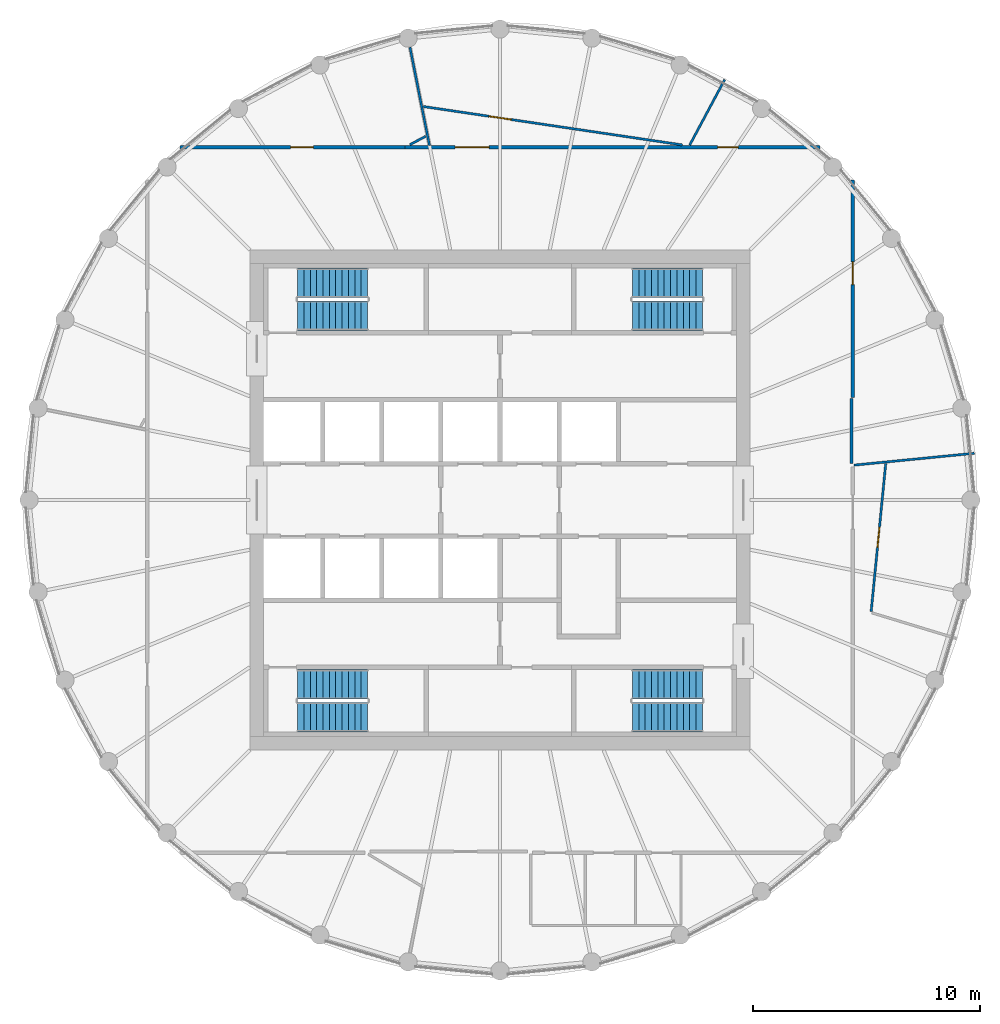
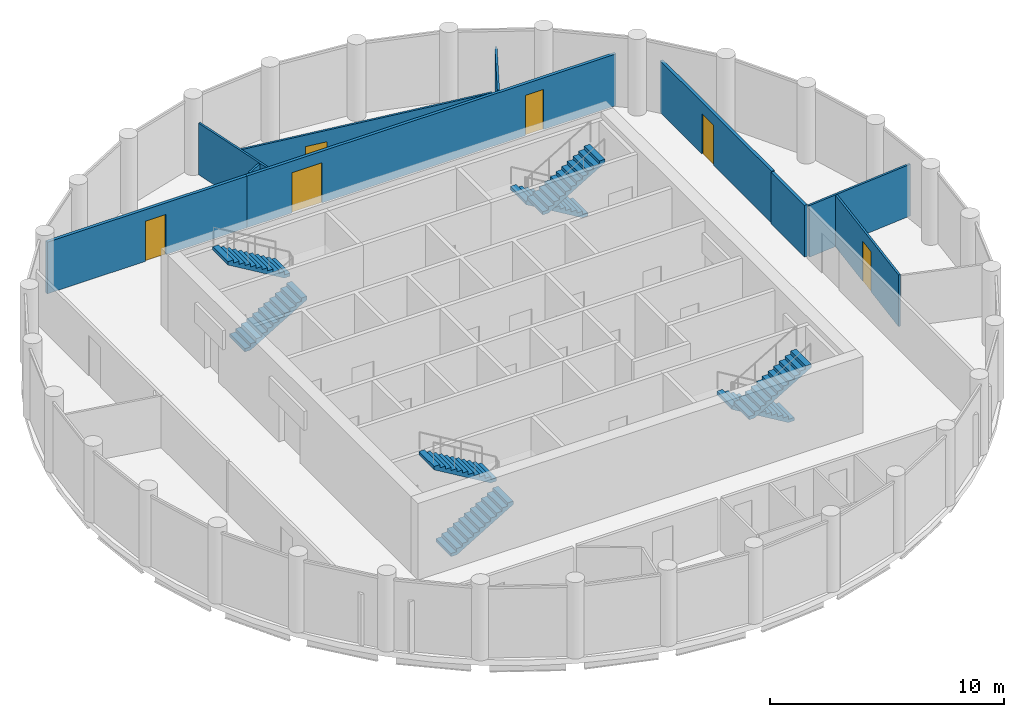
# One storey, part 6 of 7: 10 walls, 8 stair flights, 6 doors, 6 openings, 4 elements without a shape of their own.
"""IFC4 building model written with IfcOpenShell, lengths in metres."""

from ifc_helpers import new_model, si_unit, direction, frame, frame_2d, origin, place, context, subcontext, project, spatial, polyline, rectangle, outline, extrude, material, layer, layer_set, type_object, element, fill, aggregate, save


model = new_model("IFC4")

# Units and contexts
model_context = context("Model", 3, precision=1e-05, world=origin(), true_north=direction((0.0, 1.0)))
body_context = subcontext(model_context, "Body", "Model", "MODEL_VIEW")
ifc_project = project(units=[si_unit("LENGTHUNIT", "METRE"), si_unit("AREAUNIT", "SQUARE_METRE"), si_unit("VOLUMEUNIT", "CUBIC_METRE"), si_unit("PLANEANGLEUNIT", "RADIAN"), si_unit("MASSUNIT", "GRAM", prefix="KILO")], contexts=[model_context])

# Site, building, storey
site_placement = place(None, origin())
site = spatial("IfcSite", under=ifc_project, at=site_placement, CompositionType="ELEMENT")
building_placement = place(site_placement, origin())
building = spatial("IfcBuilding", under=site, at=building_placement, Name="Corvane Civic Tower", CompositionType="ELEMENT")
storey_placement = place(building_placement, frame((0.0, 0.0, 332.5)))
storey = spatial("IfcBuildingStorey", under=building, at=storey_placement, Name="L79", CompositionType="ELEMENT", Elevation=332.5)

# Wall, opening, door
ifc_material_1 = material(Name="Plasterboard")
ifc_layer_1 = layer(ifc_material_1, 0.10009765625)
ifc_layer_set_1 = layer_set([ifc_layer_1], Name="Plasterboard")
wall_type_1 = type_object("IfcWallType", Name="Partition 100 plasterboard on studs", PredefinedType="PARTITIONING", material=ifc_layer_set_1)
wall_1_placement = place(storey_placement, frame((16.3154296875, -4.9072265625, 0.0), z_axis=(0.0, 0.0, 1.0), x_axis=(0.098045643262, 0.995181918966, 0.0)))
wall_1 = element("IfcWall", 1, at=wall_1_placement, inside=storey, type_object=wall_type_1, Name="Partition L79.014", PredefinedType="PARTITIONING", context=body_context, shape_type="SweptSolid", body=[
    extrude(rectangle(XDim=6.548828125, YDim=0.10009765625, at=frame_2d((3.2744140625, 0.0))), origin(), (0.0, 0.0, 1.0), 2.699951171875),
])
opening_1_placement = place(wall_1_placement, frame((2.83447265625, 0.0, 0.0)))
opening_1 = element("IfcOpeningElement", 2, at=opening_1_placement, cuts=wall_1, Name="Opening L79.009", PredefinedType="OPENING", context=body_context, shape_type="SweptSolid", body=[
    extrude(rectangle(XDim=0.89990234375, YDim=2.10009765625, at=frame_2d((0.449951171875, 1.050048828125))), frame((0.0, 0.06005859375, 0.0), z_axis=(0.0, -1.0, 0.0), x_axis=(1.0, 0.0, 0.0)), (0.0, 0.0, 1.0), 0.1201171875),
])
ifc_material_2 = material(Name="Timber", Category="wood")
door_type_1 = type_object("IfcDoorType", Name="Single door 900", OperationType="NOTDEFINED", PredefinedType="DOOR", material=ifc_material_2)
door_1_placement = place(opening_1_placement, frame((0.89990234375, 0.0, 0.0), z_axis=(0.0, 0.0, 1.0), x_axis=(-1.0, 0.0, 0.0)))
door_1 = element("IfcDoor", 3, at=door_1_placement, inside=storey, type_object=door_type_1, Name="Door L79.009", OperationType="SINGLE_SWING_LEFT", OverallHeight=2.10009765625, OverallWidth=0.89990234375, PredefinedType="DOOR", context=body_context, shape_type="SweptSolid", body=[
    extrude(rectangle(XDim=0.89990234375, YDim=2.10009765625, at=frame_2d((0.449951171875, 1.050048828125))), frame((0.0, 0.02490234375, 0.0), z_axis=(0.0, -1.0, 0.0), x_axis=(1.0, 0.0, 0.0)), (0.0, 0.0, 1.0), 0.050048828125),
])
fill(opening_1, door_1)

# Wall
wall_2_placement = place(storey_placement, frame((15.554931640625, 1.531982421875, 0.0), z_axis=(0.0, 0.0, 1.0), x_axis=(0.995184209961, 0.098022386446, 0.0)))
element("IfcWall", 4, at=wall_2_placement, inside=storey, type_object=wall_type_1, Name="Partition L79.016", PredefinedType="PARTITIONING", context=body_context, shape_type="SweptSolid", body=[
    extrude(rectangle(XDim=5.320068359375, YDim=0.10009765625, at=frame_2d((2.66015625, 0.0))), origin(), (0.0, 0.0, 1.0), 2.699951171875),
])

# Wall, opening, door
wall_3_placement = place(storey_placement, frame((-3.372314453125, 17.296875, 0.0), z_axis=(0.0, 0.0, 1.0), x_axis=(0.989176121622, -0.146733092425, 0.0)))
wall_3 = element("IfcWall", 5, at=wall_3_placement, inside=storey, type_object=wall_type_1, Name="Partition L79.023", PredefinedType="PARTITIONING", context=body_context, shape_type="SweptSolid", body=[
    extrude(rectangle(XDim=11.513671875, YDim=0.10009765625, at=frame_2d((5.7568359375, 0.0))), origin(), (0.0, 0.0, 1.0), 2.699951171875),
])
opening_2_placement = place(wall_3_placement, frame((2.91748046875, 0.0, 0.0)))
opening_2 = element("IfcOpeningElement", 6, at=opening_2_placement, cuts=wall_3, Name="Opening L79.005", PredefinedType="OPENING", context=body_context, shape_type="SweptSolid", body=[
    extrude(rectangle(XDim=1.0, YDim=2.10009765625, at=frame_2d((0.5, 1.050048828125))), frame((0.0, 0.06005859375, 0.0), z_axis=(0.0, -1.0, 0.0), x_axis=(1.0, 0.0, 0.0)), (0.0, 0.0, 1.0), 0.1201171875),
])
ifc_material_3 = material(Name="Timber", Category="wood")
door_type_2 = type_object("IfcDoorType", Name="Single door 1000", OperationType="NOTDEFINED", PredefinedType="DOOR", material=ifc_material_3)
door_2_placement = place(opening_2_placement, origin())
door_2 = element("IfcDoor", 7, at=door_2_placement, inside=storey, type_object=door_type_2, Name="Door L79.005", OperationType="SINGLE_SWING_LEFT", OverallHeight=2.10009765625, OverallWidth=1.0, PredefinedType="DOOR", context=body_context, shape_type="SweptSolid", body=[
    extrude(rectangle(XDim=1.0, YDim=2.10009765625, at=frame_2d((0.5, 1.050048828125))), frame((0.0, 0.02490234375, 0.0), z_axis=(0.0, -1.0, 0.0), x_axis=(1.0, 0.0, 0.0)), (0.0, 0.0, 1.0), 0.050048828125),
])
fill(opening_2, door_2)

# Walls
wall_4_placement = place(storey_placement, frame((-3.95849609375, 19.900146484375, 0.0), z_axis=(0.0, 0.0, 1.0), x_axis=(0.195091656081, -0.98078501504, 0.0)))
element("IfcWall", 8, at=wall_4_placement, inside=storey, type_object=wall_type_1, Name="Partition L79.024", PredefinedType="PARTITIONING", context=body_context, shape_type="SweptSolid", body=[
    extrude(rectangle(XDim=4.39990234375, YDim=0.10009765625, at=frame_2d((2.199951171875, 0.0))), origin(), (0.0, 0.0, 1.0), 2.699951171875),
])
wall_5_placement = place(storey_placement, frame((8.337646484375, 15.5986328125, 0.0), z_axis=(0.0, 0.0, 1.0), x_axis=(0.471438475103, 0.881898953505, 0.0)))
element("IfcWall", 9, at=wall_5_placement, inside=storey, type_object=wall_type_1, Name="Partition L79.025", PredefinedType="PARTITIONING", context=body_context, shape_type="SweptSolid", body=[
    extrude(rectangle(XDim=3.262939453125, YDim=0.10009765625, at=frame_2d((1.63134765625, 0.0))), origin(), (0.0, 0.0, 1.0), 2.699951171875),
])
wall_6_placement = place(storey_placement, frame((-3.96630859375, 15.614990234375, 0.0), z_axis=(0.0, 0.0, 1.0), x_axis=(0.881949437512, 0.471344024756, 0.0)))
element("IfcWall", 10, at=wall_6_placement, inside=storey, type_object=wall_type_1, Name="Partition L79.026", PredefinedType="PARTITIONING", context=body_context, shape_type="SweptSolid", body=[
    extrude(rectangle(XDim=0.787841796875, YDim=0.10009765625, at=frame_2d((0.39404296875, 0.0))), origin(), (0.0, 0.0, 1.0), 2.699951171875),
])
ifc_material_4 = material(Name="Plasterboard")
ifc_layer_2 = layer(ifc_material_4, 0.14990234375)
ifc_layer_set_2 = layer_set([ifc_layer_2], Name="Plasterboard")
wall_type_2 = type_object("IfcWallType", Name="Tenancy wall 150 EI 60", PredefinedType="PARTITIONING", material=ifc_layer_set_2)
wall_7_placement = place(storey_placement, frame((15.449951171875, 1.6044921875, 0.0), z_axis=(0.0, 0.0, 1.0), x_axis=(0.0, 1.0, 0.0)))
element("IfcWall", 11, at=wall_7_placement, inside=storey, type_object=wall_type_2, Name="Partition L79.017", PredefinedType="PARTITIONING", context=body_context, shape_type="SweptSolid", body=[
    extrude(rectangle(XDim=2.856201171875, YDim=0.14990234375, at=frame_2d((1.42822265625, 0.0))), origin(), (0.0, 0.0, 1.0), 2.699951171875),
])

# Wall, opening, door
wall_8_placement = place(storey_placement, frame((15.5, 4.5107421875, 0.0), z_axis=(0.0, 0.0, 1.0), x_axis=(0.0, 1.0, 0.0)))
wall_8 = element("IfcWall", 12, at=wall_8_placement, inside=storey, type_object=wall_type_2, Name="Partition L79.020", PredefinedType="PARTITIONING", context=body_context, shape_type="SweptSolid", body=[
    extrude(rectangle(XDim=9.54638671875, YDim=0.14990234375, at=frame_2d((4.773193359375, 0.0))), origin(), (0.0, 0.0, 1.0), 2.699951171875),
])
opening_3_placement = place(wall_8_placement, frame((4.9580078125, 0.0, 0.0)))
opening_3 = element("IfcOpeningElement", 13, at=opening_3_placement, cuts=wall_8, Name="Opening L79.007", PredefinedType="OPENING", context=body_context, shape_type="SweptSolid", body=[
    extrude(rectangle(XDim=1.0, YDim=2.10009765625, at=frame_2d((0.5, 1.050048828125))), frame((0.0, 0.0849609375, 0.0), z_axis=(0.0, -1.0, 0.0), x_axis=(1.0, 0.0, 0.0)), (0.0, 0.0, 1.0), 0.169921875),
])
ifc_material_5 = material(Name="Steel and timber", Category="steel")
door_type_3 = type_object("IfcDoorType", Name="Fire door FD30S 1000", OperationType="NOTDEFINED", PredefinedType="DOOR", material=ifc_material_5)
door_3_placement = place(opening_3_placement, frame((1.0, 0.0, 0.0), z_axis=(0.0, 0.0, 1.0), x_axis=(-1.0, 0.0, 0.0)))
door_3 = element("IfcDoor", 14, at=door_3_placement, inside=storey, type_object=door_type_3, Name="Door L79.007", OperationType="SINGLE_SWING_RIGHT", OverallHeight=2.10009765625, OverallWidth=1.0, PredefinedType="DOOR", context=body_context, shape_type="SweptSolid", body=[
    extrude(rectangle(XDim=1.0, YDim=2.10009765625, at=frame_2d((0.5, 1.050048828125))), frame((0.0, 0.02490234375, 0.0), z_axis=(0.0, -1.0, 0.0), x_axis=(1.0, 0.0, 0.0)), (0.0, 0.0, 1.0), 0.050048828125),
])
fill(opening_3, door_3)

wall_9_placement = place(storey_placement, frame((-14.05712890625, 15.5, 0.0), z_axis=(0.0, 0.0, 1.0), x_axis=(1.0, 0.0, 0.0)))
wall_9 = element("IfcWall", 15, at=wall_9_placement, inside=storey, type_object=wall_type_2, Name="Partition L79.021", PredefinedType="PARTITIONING", context=body_context, shape_type="SweptSolid", body=[
    extrude(rectangle(XDim=9.875732421875, YDim=0.14990234375, at=frame_2d((4.93798828125, 0.0))), origin(), (0.0, 0.0, 1.0), 2.699951171875),
])
opening_4_placement = place(wall_9_placement, frame((4.853271484375, 0.0, 0.0)))
opening_4 = element("IfcOpeningElement", 16, at=opening_4_placement, cuts=wall_9, Name="Opening L79.004", PredefinedType="OPENING", context=body_context, shape_type="SweptSolid", body=[
    extrude(rectangle(XDim=1.0, YDim=2.10009765625, at=frame_2d((0.5, 1.050048828125))), frame((0.0, 0.0849609375, 0.0), z_axis=(0.0, -1.0, 0.0), x_axis=(1.0, 0.0, 0.0)), (0.0, 0.0, 1.0), 0.169921875),
])
door_4_placement = place(opening_4_placement, origin())
door_4 = element("IfcDoor", 17, at=door_4_placement, inside=storey, type_object=door_type_3, Name="Door L79.004", OperationType="SINGLE_SWING_RIGHT", OverallHeight=2.10009765625, OverallWidth=1.0, PredefinedType="DOOR", context=body_context, shape_type="SweptSolid", body=[
    extrude(rectangle(XDim=1.0, YDim=2.10009765625, at=frame_2d((0.5, 1.050048828125))), frame((0.0, 0.02490234375, 0.0), z_axis=(0.0, -1.0, 0.0), x_axis=(1.0, 0.0, 0.0)), (0.0, 0.0, 1.0), 0.050048828125),
])
fill(opening_4, door_4)

# Wall, openings, doors
wall_10_placement = place(storey_placement, frame((-4.181396484375, 15.5, 0.0), z_axis=(0.0, 0.0, 1.0), x_axis=(1.0, 0.0, 0.0)))
wall_10 = element("IfcWall", 18, at=wall_10_placement, inside=storey, type_object=wall_type_2, Name="Partition L79.022", PredefinedType="PARTITIONING", context=body_context, shape_type="SweptSolid", body=[
    extrude(rectangle(XDim=18.238525390625, YDim=0.14990234375, at=frame_2d((9.119140625, 0.0))), origin(), (0.0, 0.0, 1.0), 2.699951171875),
])
opening_5_placement = place(wall_10_placement, frame((2.2080078125, 0.0, 0.0)))
opening_5 = element("IfcOpeningElement", 19, at=opening_5_placement, cuts=wall_10, Name="Opening L79.006", PredefinedType="OPENING", context=body_context, shape_type="SweptSolid", body=[
    extrude(rectangle(XDim=1.5, YDim=2.10009765625, at=frame_2d((0.75, 1.050048828125))), frame((0.0, 0.0849609375, 0.0), z_axis=(0.0, -1.0, 0.0), x_axis=(1.0, 0.0, 0.0)), (0.0, 0.0, 1.0), 0.169921875),
])
opening_6_placement = place(wall_10_placement, frame((13.75244140625, 0.0, 0.0)))
opening_6 = element("IfcOpeningElement", 20, at=opening_6_placement, cuts=wall_10, Name="Opening L79.008", PredefinedType="OPENING", context=body_context, shape_type="SweptSolid", body=[
    extrude(rectangle(XDim=0.89990234375, YDim=2.10009765625, at=frame_2d((0.449951171875, 1.050048828125))), frame((0.0, 0.0849609375, 0.0), z_axis=(0.0, -1.0, 0.0), x_axis=(1.0, 0.0, 0.0)), (0.0, 0.0, 1.0), 0.169921875),
])
ifc_material_6 = material(Name="Steel and timber", Category="steel")
door_type_4 = type_object("IfcDoorType", Name="Fire door FD30S 900", OperationType="NOTDEFINED", PredefinedType="DOOR", material=ifc_material_6)
door_5_placement = place(opening_6_placement, origin())
door_5 = element("IfcDoor", 21, at=door_5_placement, inside=storey, type_object=door_type_4, Name="Door L79.008", OperationType="SINGLE_SWING_LEFT", OverallHeight=2.10009765625, OverallWidth=0.89990234375, PredefinedType="DOOR", context=body_context, shape_type="SweptSolid", body=[
    extrude(rectangle(XDim=0.89990234375, YDim=2.10009765625, at=frame_2d((0.449951171875, 1.050048828125))), frame((0.0, 0.02490234375, 0.0), z_axis=(0.0, -1.0, 0.0), x_axis=(1.0, 0.0, 0.0)), (0.0, 0.0, 1.0), 0.050048828125),
])
fill(opening_6, door_5)
ifc_material_7 = material(Name="Steel and timber", Category="steel")
door_type_5 = type_object("IfcDoorType", Name="Fire door FD60 double 1500", OperationType="NOTDEFINED", PredefinedType="DOOR", material=ifc_material_7)
door_6_placement = place(opening_5_placement, origin())
door_6 = element("IfcDoor", 22, at=door_6_placement, inside=storey, type_object=door_type_5, Name="Door L79.006", OperationType="DOUBLE_DOOR_SINGLE_SWING", OverallHeight=2.10009765625, OverallWidth=1.5, PredefinedType="DOOR", context=body_context, shape_type="SweptSolid", body=[
    extrude(rectangle(XDim=1.5, YDim=2.10009765625, at=frame_2d((0.75, 1.050048828125))), frame((0.0, 0.02490234375, 0.0), z_axis=(0.0, -1.0, 0.0), x_axis=(1.0, 0.0, 0.0)), (0.0, 0.0, 1.0), 0.050048828125),
])
fill(opening_5, door_6)

# Stair, stair flights
ifc_material_8 = material(Name="Concrete C40/50", Category="concrete")
stair_type = type_object("IfcStairType", Name="ST-STAIR-HALFTURN", PredefinedType="HALF_TURN_STAIR", material=ifc_material_8)
stair_1_placement = place(storey_placement, origin())
stair_1 = element("IfcStair", 23, at=stair_1_placement, inside=storey, type_object=stair_type, Name="L79 Exit stair ST1", PredefinedType="HALF_TURN_STAIR")
ifc_material_9 = material(Name="Concrete C40/50", Category="concrete")
stair_flight_type = type_object("IfcStairFlightType", Name="ST-FLIGHT-RC", PredefinedType="STRAIGHT", material=ifc_material_9)
stair_flight_1_placement = place(storey_placement, frame((8.89990234375, 9.550048828125, 0.0), z_axis=(0.0, 0.0, 1.0), x_axis=(-1.0, 0.0, 0.0)))
stair_flight_1 = element("IfcStairFlight", 24, at=stair_flight_1_placement, type_object=stair_flight_type, Name="ST1 flight 1", NumberOfRisers=12, NumberOfTreads=11, PredefinedType="STRAIGHT", RiserHeight=0.166666667, TreadLength=0.28, context=body_context, shape_type="SweptSolid", body=[
    extrude(outline(polyline([(0.0, 0.0), (0.0, 0.166748046875), (0.280029296875, 0.166748046875), (0.280029296875, 0.333251953125), (0.56005859375, 0.333251953125), (0.56005859375, 0.5), (0.840087890625, 0.5), (0.840087890625, 0.666748046875), (1.1201171875, 0.666748046875), (1.1201171875, 0.833251953125), (1.39990234375, 0.833251953125), (1.39990234375, 1.0), (1.679931640625, 1.0), (1.679931640625, 1.166748046875), (1.9599609375, 1.166748046875), (1.9599609375, 1.333251953125), (2.239990234375, 1.333251953125), (2.239990234375, 1.5), (2.52001953125, 1.5), (2.52001953125, 1.666748046875), (2.800048828125, 1.666748046875), (2.800048828125, 1.833251953125), (3.080078125, 1.833251953125), (3.080078125, 2.0), (3.080078125, 1.658935546875), (0.29296875, 0.0), (0.0, 0.0)])), frame((0.0, 0.64990234375, 0.0), z_axis=(0.0, -1.0, 0.0), x_axis=(1.0, 0.0, 0.0)), (0.0, 0.0, 1.0), 1.300048828125),
])
stair_flight_2_placement = place(storey_placement, frame((5.820068359375, 8.10009765625, 2.0), z_axis=(0.0, 0.0, 1.0), x_axis=(1.0, 0.0, 0.0)))
stair_flight_2 = element("IfcStairFlight", 25, at=stair_flight_2_placement, type_object=stair_flight_type, Name="ST1 flight 2", NumberOfRisers=12, NumberOfTreads=11, PredefinedType="STRAIGHT", RiserHeight=0.166666667, TreadLength=0.28, context=body_context, shape_type="SweptSolid", body=[
    extrude(outline(polyline([(0.0, 0.0), (0.0, 0.166748046875), (0.280029296875, 0.166748046875), (0.280029296875, 0.333251953125), (0.56005859375, 0.333251953125), (0.56005859375, 0.5), (0.840087890625, 0.5), (0.840087890625, 0.666748046875), (1.1201171875, 0.666748046875), (1.1201171875, 0.833251953125), (1.39990234375, 0.833251953125), (1.39990234375, 1.0), (1.679931640625, 1.0), (1.679931640625, 1.166748046875), (1.9599609375, 1.166748046875), (1.9599609375, 1.333251953125), (2.239990234375, 1.333251953125), (2.239990234375, 1.5), (2.52001953125, 1.5), (2.52001953125, 1.666748046875), (2.800048828125, 1.666748046875), (2.800048828125, 1.833251953125), (3.080078125, 1.833251953125), (3.080078125, 2.0), (3.080078125, 1.658935546875), (0.29296875, 0.0), (0.0, 0.0)])), frame((0.0, 0.64990234375, 0.0), z_axis=(0.0, -1.0, 0.0), x_axis=(1.0, 0.0, 0.0)), (0.0, 0.0, 1.0), 1.300048828125),
])
aggregate(stair_1, [stair_flight_1, stair_flight_2])

stair_2_placement = place(storey_placement, origin())
stair_2 = element("IfcStair", 26, at=stair_2_placement, inside=storey, type_object=stair_type, Name="L79 Exit stair ST2", PredefinedType="HALF_TURN_STAIR")
stair_flight_3_placement = place(storey_placement, frame((8.89990234375, -8.10009765625, 0.0), z_axis=(0.0, 0.0, 1.0), x_axis=(-1.0, 0.0, 0.0)))
stair_flight_3 = element("IfcStairFlight", 27, at=stair_flight_3_placement, type_object=stair_flight_type, Name="ST2 flight 1", NumberOfRisers=12, NumberOfTreads=11, PredefinedType="STRAIGHT", RiserHeight=0.166666667, TreadLength=0.28, context=body_context, shape_type="SweptSolid", body=[
    extrude(outline(polyline([(0.0, 0.0), (0.0, 0.166748046875), (0.280029296875, 0.166748046875), (0.280029296875, 0.333251953125), (0.56005859375, 0.333251953125), (0.56005859375, 0.5), (0.840087890625, 0.5), (0.840087890625, 0.666748046875), (1.1201171875, 0.666748046875), (1.1201171875, 0.833251953125), (1.39990234375, 0.833251953125), (1.39990234375, 1.0), (1.679931640625, 1.0), (1.679931640625, 1.166748046875), (1.9599609375, 1.166748046875), (1.9599609375, 1.333251953125), (2.239990234375, 1.333251953125), (2.239990234375, 1.5), (2.52001953125, 1.5), (2.52001953125, 1.666748046875), (2.800048828125, 1.666748046875), (2.800048828125, 1.833251953125), (3.080078125, 1.833251953125), (3.080078125, 2.0), (3.080078125, 1.658935546875), (0.29296875, 0.0), (0.0, 0.0)])), frame((0.0, 0.64990234375, 0.0), z_axis=(0.0, -1.0, 0.0), x_axis=(1.0, 0.0, 0.0)), (0.0, 0.0, 1.0), 1.300048828125),
])
stair_flight_4_placement = place(storey_placement, frame((5.820068359375, -9.550048828125, 2.0), z_axis=(0.0, 0.0, 1.0), x_axis=(1.0, 0.0, 0.0)))
stair_flight_4 = element("IfcStairFlight", 28, at=stair_flight_4_placement, type_object=stair_flight_type, Name="ST2 flight 2", NumberOfRisers=12, NumberOfTreads=11, PredefinedType="STRAIGHT", RiserHeight=0.166666667, TreadLength=0.28, context=body_context, shape_type="SweptSolid", body=[
    extrude(outline(polyline([(0.0, 0.0), (0.0, 0.166748046875), (0.280029296875, 0.166748046875), (0.280029296875, 0.333251953125), (0.56005859375, 0.333251953125), (0.56005859375, 0.5), (0.840087890625, 0.5), (0.840087890625, 0.666748046875), (1.1201171875, 0.666748046875), (1.1201171875, 0.833251953125), (1.39990234375, 0.833251953125), (1.39990234375, 1.0), (1.679931640625, 1.0), (1.679931640625, 1.166748046875), (1.9599609375, 1.166748046875), (1.9599609375, 1.333251953125), (2.239990234375, 1.333251953125), (2.239990234375, 1.5), (2.52001953125, 1.5), (2.52001953125, 1.666748046875), (2.800048828125, 1.666748046875), (2.800048828125, 1.833251953125), (3.080078125, 1.833251953125), (3.080078125, 2.0), (3.080078125, 1.658935546875), (0.29296875, 0.0), (0.0, 0.0)])), frame((0.0, 0.64990234375, 0.0), z_axis=(0.0, -1.0, 0.0), x_axis=(1.0, 0.0, 0.0)), (0.0, 0.0, 1.0), 1.300048828125),
])
aggregate(stair_2, [stair_flight_3, stair_flight_4])

stair_3_placement = place(storey_placement, origin())
stair_3 = element("IfcStair", 29, at=stair_3_placement, inside=storey, type_object=stair_type, Name="L79 Exit stair ST3", PredefinedType="HALF_TURN_STAIR")
stair_flight_5_placement = place(storey_placement, frame((-8.89990234375, -9.550048828125, 0.0), z_axis=(0.0, 0.0, 1.0), x_axis=(1.0, 0.0, 0.0)))
stair_flight_5 = element("IfcStairFlight", 30, at=stair_flight_5_placement, type_object=stair_flight_type, Name="ST3 flight 1", NumberOfRisers=12, NumberOfTreads=11, PredefinedType="STRAIGHT", RiserHeight=0.166666667, TreadLength=0.28, context=body_context, shape_type="SweptSolid", body=[
    extrude(outline(polyline([(0.0, 0.0), (0.0, 0.166748046875), (0.280029296875, 0.166748046875), (0.280029296875, 0.333251953125), (0.56005859375, 0.333251953125), (0.56005859375, 0.5), (0.840087890625, 0.5), (0.840087890625, 0.666748046875), (1.1201171875, 0.666748046875), (1.1201171875, 0.833251953125), (1.39990234375, 0.833251953125), (1.39990234375, 1.0), (1.679931640625, 1.0), (1.679931640625, 1.166748046875), (1.9599609375, 1.166748046875), (1.9599609375, 1.333251953125), (2.239990234375, 1.333251953125), (2.239990234375, 1.5), (2.52001953125, 1.5), (2.52001953125, 1.666748046875), (2.800048828125, 1.666748046875), (2.800048828125, 1.833251953125), (3.080078125, 1.833251953125), (3.080078125, 2.0), (3.080078125, 1.658935546875), (0.29296875, 0.0), (0.0, 0.0)])), frame((0.0, 0.64990234375, 0.0), z_axis=(0.0, -1.0, 0.0), x_axis=(1.0, 0.0, 0.0)), (0.0, 0.0, 1.0), 1.300048828125),
])
stair_flight_6_placement = place(storey_placement, frame((-5.820068359375, -8.10009765625, 2.0), z_axis=(0.0, 0.0, 1.0), x_axis=(-1.0, 0.0, 0.0)))
stair_flight_6 = element("IfcStairFlight", 31, at=stair_flight_6_placement, type_object=stair_flight_type, Name="ST3 flight 2", NumberOfRisers=12, NumberOfTreads=11, PredefinedType="STRAIGHT", RiserHeight=0.166666667, TreadLength=0.28, context=body_context, shape_type="SweptSolid", body=[
    extrude(outline(polyline([(0.0, 0.0), (0.0, 0.166748046875), (0.280029296875, 0.166748046875), (0.280029296875, 0.333251953125), (0.56005859375, 0.333251953125), (0.56005859375, 0.5), (0.840087890625, 0.5), (0.840087890625, 0.666748046875), (1.1201171875, 0.666748046875), (1.1201171875, 0.833251953125), (1.39990234375, 0.833251953125), (1.39990234375, 1.0), (1.679931640625, 1.0), (1.679931640625, 1.166748046875), (1.9599609375, 1.166748046875), (1.9599609375, 1.333251953125), (2.239990234375, 1.333251953125), (2.239990234375, 1.5), (2.52001953125, 1.5), (2.52001953125, 1.666748046875), (2.800048828125, 1.666748046875), (2.800048828125, 1.833251953125), (3.080078125, 1.833251953125), (3.080078125, 2.0), (3.080078125, 1.658935546875), (0.29296875, 0.0), (0.0, 0.0)])), frame((0.0, 0.64990234375, 0.0), z_axis=(0.0, -1.0, 0.0), x_axis=(1.0, 0.0, 0.0)), (0.0, 0.0, 1.0), 1.300048828125),
])
aggregate(stair_3, [stair_flight_5, stair_flight_6])

stair_4_placement = place(storey_placement, origin())
stair_4 = element("IfcStair", 32, at=stair_4_placement, inside=storey, type_object=stair_type, Name="L79 Exit stair ST4", PredefinedType="HALF_TURN_STAIR")
stair_flight_7_placement = place(storey_placement, frame((-8.89990234375, 8.10009765625, 0.0), z_axis=(0.0, 0.0, 1.0), x_axis=(1.0, 0.0, 0.0)))
stair_flight_7 = element("IfcStairFlight", 33, at=stair_flight_7_placement, type_object=stair_flight_type, Name="ST4 flight 1", NumberOfRisers=12, NumberOfTreads=11, PredefinedType="STRAIGHT", RiserHeight=0.166666667, TreadLength=0.28, context=body_context, shape_type="SweptSolid", body=[
    extrude(outline(polyline([(0.0, 0.0), (0.0, 0.166748046875), (0.280029296875, 0.166748046875), (0.280029296875, 0.333251953125), (0.56005859375, 0.333251953125), (0.56005859375, 0.5), (0.840087890625, 0.5), (0.840087890625, 0.666748046875), (1.1201171875, 0.666748046875), (1.1201171875, 0.833251953125), (1.39990234375, 0.833251953125), (1.39990234375, 1.0), (1.679931640625, 1.0), (1.679931640625, 1.166748046875), (1.9599609375, 1.166748046875), (1.9599609375, 1.333251953125), (2.239990234375, 1.333251953125), (2.239990234375, 1.5), (2.52001953125, 1.5), (2.52001953125, 1.666748046875), (2.800048828125, 1.666748046875), (2.800048828125, 1.833251953125), (3.080078125, 1.833251953125), (3.080078125, 2.0), (3.080078125, 1.658935546875), (0.29296875, 0.0), (0.0, 0.0)])), frame((0.0, 0.64990234375, 0.0), z_axis=(0.0, -1.0, 0.0), x_axis=(1.0, 0.0, 0.0)), (0.0, 0.0, 1.0), 1.300048828125),
])
stair_flight_8_placement = place(storey_placement, frame((-5.820068359375, 9.550048828125, 2.0), z_axis=(0.0, 0.0, 1.0), x_axis=(-1.0, 0.0, 0.0)))
stair_flight_8 = element("IfcStairFlight", 34, at=stair_flight_8_placement, type_object=stair_flight_type, Name="ST4 flight 2", NumberOfRisers=12, NumberOfTreads=11, PredefinedType="STRAIGHT", RiserHeight=0.166666667, TreadLength=0.28, context=body_context, shape_type="SweptSolid", body=[
    extrude(outline(polyline([(0.0, 0.0), (0.0, 0.166748046875), (0.280029296875, 0.166748046875), (0.280029296875, 0.333251953125), (0.56005859375, 0.333251953125), (0.56005859375, 0.5), (0.840087890625, 0.5), (0.840087890625, 0.666748046875), (1.1201171875, 0.666748046875), (1.1201171875, 0.833251953125), (1.39990234375, 0.833251953125), (1.39990234375, 1.0), (1.679931640625, 1.0), (1.679931640625, 1.166748046875), (1.9599609375, 1.166748046875), (1.9599609375, 1.333251953125), (2.239990234375, 1.333251953125), (2.239990234375, 1.5), (2.52001953125, 1.5), (2.52001953125, 1.666748046875), (2.800048828125, 1.666748046875), (2.800048828125, 1.833251953125), (3.080078125, 1.833251953125), (3.080078125, 2.0), (3.080078125, 1.658935546875), (0.29296875, 0.0), (0.0, 0.0)])), frame((0.0, 0.64990234375, 0.0), z_axis=(0.0, -1.0, 0.0), x_axis=(1.0, 0.0, 0.0)), (0.0, 0.0, 1.0), 1.300048828125),
])
aggregate(stair_4, [stair_flight_7, stair_flight_8])

save(model, "model.ifc")
